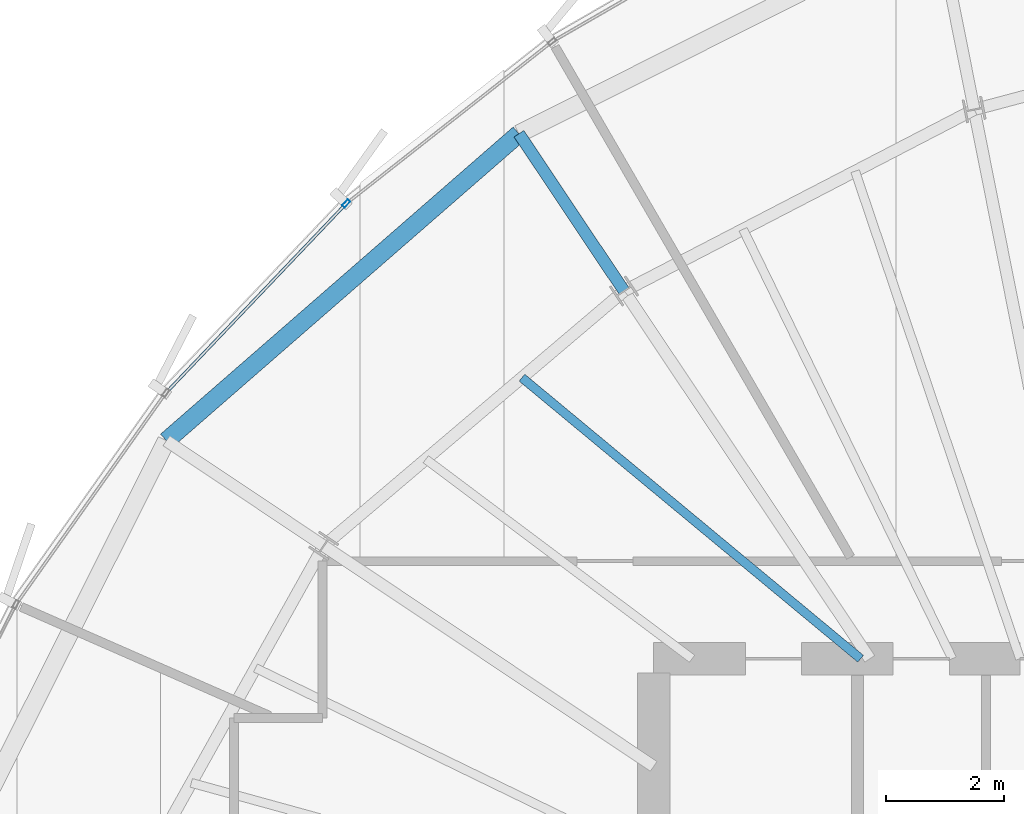
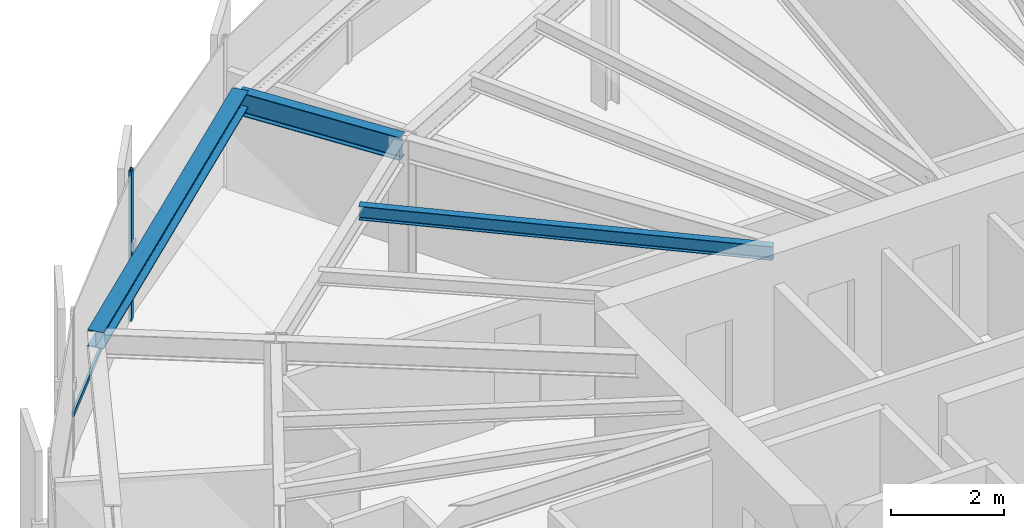
# One storey, part 20 of 35: 3 beams, 2 members, 1 element without a shape of its own.
"""IFC4 building model written with IfcOpenShell, lengths in metres."""

from ifc_helpers import new_model, si_unit, direction, frame, origin, origin_2d, place, context, subcontext, project, spatial, hollow_rectangle, i_section, extrude, source, transform, mapped, material, layer, layer_set, material_profile, profile_set, type_object, element, aggregate, save


model = new_model("IFC4")

# Units and contexts
model_context = context("Model", 3, precision=1e-05, world=origin(), true_north=direction((0.0, 1.0)))
body_context = subcontext(model_context, "Body", "Model", "MODEL_VIEW")
ifc_project = project(units=[si_unit("LENGTHUNIT", "METRE"), si_unit("AREAUNIT", "SQUARE_METRE"), si_unit("VOLUMEUNIT", "CUBIC_METRE"), si_unit("PLANEANGLEUNIT", "RADIAN"), si_unit("MASSUNIT", "GRAM", prefix="KILO"), si_unit("THERMODYNAMICTEMPERATUREUNIT", "KELVIN")], contexts=[model_context])

# Site, building, storey
site_placement = place(None, origin())
site = spatial("IfcSite", under=ifc_project, at=site_placement, CompositionType="ELEMENT")
building_placement = place(site_placement, origin())
building = spatial("IfcBuilding", under=site, at=building_placement, Name="Kethvar Cultural Tower", CompositionType="ELEMENT")
storey_placement = place(building_placement, frame((0.0, 0.0, 204.39990234375)))
storey = spatial("IfcBuildingStorey", under=building, at=storey_placement, Name="L53", CompositionType="ELEMENT", Elevation=204.39990234375)

# Beams
ifc_material_1 = material(Name="Steel S355J2", Category="steel")
ifc_material_profile_1 = material_profile(ifc_material_1, i_section(OverallWidth=0.199951171875, OverallDepth=0.5, WebThickness=0.01025390625, FlangeThickness=0.01611328125, FilletRadius=0.02099609375, at=origin_2d()), Name="Steel S355J2 — IPE500")
ifc_profile_set_1 = profile_set([ifc_material_profile_1], Name="Steel S355J2 — IPE500")
beam_type_1 = type_object("IfcBeamType", Name="BM-IPE500", PredefinedType="BEAM", material=ifc_profile_set_1)
shared_shape_1 = source(origin(), body_context, "Body", "SweptSolid", [
    extrude(i_section(OverallWidth=0.199951171875, OverallDepth=0.5, WebThickness=0.01025390625, FlangeThickness=0.01611328125, FilletRadius=0.02099609375, at=origin_2d()), origin(), (0.0, 0.0, 1.0), 3.199951171875),
])
beam_1_placement = place(storey_placement, frame((37.498779296875, 41.720458984375, 3.008056640625), z_axis=(-0.555580212716, 0.831462943996, 0.0), x_axis=(-0.831462943996, -0.555580212716, 0.0)))
element("IfcBeam", 1, at=beam_1_placement, inside=storey, type_object=beam_type_1, Name="L53 Perimeter Cantilever Beam RC-06", PredefinedType="BEAM", context=body_context, shape_type="MappedRepresentation", body=[
    mapped(shared_shape_1, transform((0.0, 0.0, 0.0), scale=1.0)),
])
ifc_material_profile_2 = material_profile(ifc_material_1, i_section(OverallWidth=0.300048828125, OverallDepth=0.360107421875, WebThickness=0.012451171875, FlangeThickness=0.0224609375, FilletRadius=0.027099609375, at=origin_2d()), Name="Steel S355J2 — HEB360")
ifc_profile_set_2 = profile_set([ifc_material_profile_2], Name="Steel S355J2 — HEB360")
beam_type_2 = type_object("IfcBeamType", Name="BM-SP360", PredefinedType="SPANDREL", material=ifc_profile_set_2)
shared_shape_2 = source(origin(), body_context, "Body", "SweptSolid", [
    extrude(i_section(OverallWidth=0.300048828125, OverallDepth=0.360107421875, WebThickness=0.012451171875, FlangeThickness=0.0224609375, FilletRadius=0.027099609375, at=origin_2d()), origin(), (0.0, 0.0, 1.0), 7.908203125),
])
beam_2_placement = place(storey_placement, frame((35.720947265625, 44.381103515625, 3.078125), z_axis=(-0.754085541675, -0.656776214427, 0.0), x_axis=(0.656776214427, -0.754085541675, 0.0)))
element("IfcBeam", 2, at=beam_2_placement, inside=storey, type_object=beam_type_2, Name="L53 Perimeter Spandrel Beam SP-06", PredefinedType="SPANDREL", context=body_context, shape_type="MappedRepresentation", body=[
    mapped(shared_shape_2, transform((0.0, 0.0, 0.0), scale=1.0)),
])
ifc_material_profile_3 = material_profile(ifc_material_1, i_section(OverallWidth=0.14990234375, OverallDepth=0.300048828125, WebThickness=0.007080078125, FlangeThickness=0.0107421875, FilletRadius=0.014892578125, at=origin_2d()), Name="Steel S355J2 — IPE300")
ifc_profile_set_3 = profile_set([ifc_material_profile_3], Name="Steel S355J2 — IPE300")
beam_type_3 = type_object("IfcBeamType", Name="BM-J300", PredefinedType="JOIST", material=ifc_profile_set_3)
shared_shape_3 = source(origin(), body_context, "Body", "SweptSolid", [
    extrude(i_section(OverallWidth=0.14990234375, OverallDepth=0.300048828125, WebThickness=0.007080078125, FlangeThickness=0.0107421875, FilletRadius=0.014892578125, at=origin_2d()), origin(), (0.0, 0.0, 1.0), 7.444580078125),
])
beam_3_placement = place(storey_placement, frame((41.5, 35.5, 3.108154296875), z_axis=(-0.769483166858, 0.638667093188, 0.0), x_axis=(-0.638667093188, -0.769483166858, 0.0)))
element("IfcBeam", 3, at=beam_3_placement, inside=storey, type_object=beam_type_3, Name="L53 Composite Floor Joist J-06A", PredefinedType="JOIST", context=body_context, shape_type="MappedRepresentation", body=[
    mapped(shared_shape_3, transform((0.0, 0.0, 0.0), scale=1.0)),
])

# Curtain wall, members
ifc_material_2 = material(Name="Aluminium 6063-T6", Category="aluminium")
ifc_layer = layer(ifc_material_2, 0.179931640625, Name="Aluminium 6063-T6", Category="aluminium")
ifc_layer_set = layer_set([ifc_layer], Name="Aluminium 6063-T6 (180 mm)")
curtain_wall_type = type_object("IfcCurtainWallType", Name="CW-SYS-04-Z34", PredefinedType="NOTDEFINED", material=ifc_layer_set)
curtain_wall_placement = place(storey_placement, origin())
curtain_wall = element("IfcCurtainWall", 4, at=curtain_wall_placement, inside=storey, type_object=curtain_wall_type, Name="L53 Curtain Wall Run 02", PredefinedType="NOTDEFINED")
ifc_material_profile_4 = material_profile(ifc_material_2, hollow_rectangle(XDim=0.06005859375, YDim=0.139892578125, WallThickness=0.0048828125, at=origin_2d()), Name="Aluminium 6063-T6 — RHS140x60x5")
ifc_profile_set_4 = profile_set([ifc_material_profile_4], Name="Aluminium 6063-T6 — RHS140x60x5")
member_type_1 = type_object("IfcMemberType", Name="CW-SYS-04-Z34-MUL", PredefinedType="MULLION", material=ifc_profile_set_4)
shared_shape_4 = source(origin(), body_context, "Body", "SweptSolid", [
    extrude(hollow_rectangle(XDim=0.06005859375, YDim=0.139892578125, WallThickness=0.0048828125, at=origin_2d()), origin(), (0.0, 0.0, 1.0), 3.260009765625),
])
member_1_placement = place(storey_placement, frame((32.798583984375, 43.198974609375, 0.0), z_axis=(0.0, 0.0, 1.0), x_axis=(0.72420796884, -0.68958162524, 0.0)))
member_1 = element("IfcMember", 5, at=member_1_placement, type_object=member_type_1, Name="CW-L53-R02 Mullion 4", PredefinedType="MULLION", context=body_context, shape_type="MappedRepresentation", body=[
    mapped(shared_shape_4, transform((0.0, 0.0, 0.0), scale=1.0)),
])
ifc_material_profile_5 = material_profile(ifc_material_2, hollow_rectangle(XDim=0.050048828125, YDim=0.10009765625, WallThickness=0.00390625, at=origin_2d()), Name="Aluminium 6063-T6 — RHS100x50x4")
ifc_profile_set_5 = profile_set([ifc_material_profile_5], Name="Aluminium 6063-T6 — RHS100x50x4")
member_type_2 = type_object("IfcMemberType", Name="CW-SYS-04-Z34-TRN", PredefinedType="USERDEFINED", material=ifc_profile_set_5)
shared_shape_5 = source(origin(), body_context, "Body", "SweptSolid", [
    extrude(hollow_rectangle(XDim=0.050048828125, YDim=0.10009765625, WallThickness=0.00390625, at=origin_2d()), origin(), (0.0, 0.0, 1.0), 4.35693359375),
])
member_2_placement = place(storey_placement, frame((32.768798828125, 43.167724609375, 0.9501953125), z_axis=(-0.689579609945, -0.724209887773, 0.0), x_axis=(0.724209887773, -0.689579609945, 0.0)))
member_2 = element("IfcMember", 6, at=member_2_placement, type_object=member_type_2, Name="CW-L53-R02 Transom 4", ObjectType="TRANSOM", PredefinedType="USERDEFINED", context=body_context, shape_type="MappedRepresentation", body=[
    mapped(shared_shape_5, transform((0.0, 0.0, 0.0), scale=1.0)),
])
aggregate(curtain_wall, [member_1, member_2])

save(model, "model.ifc")
